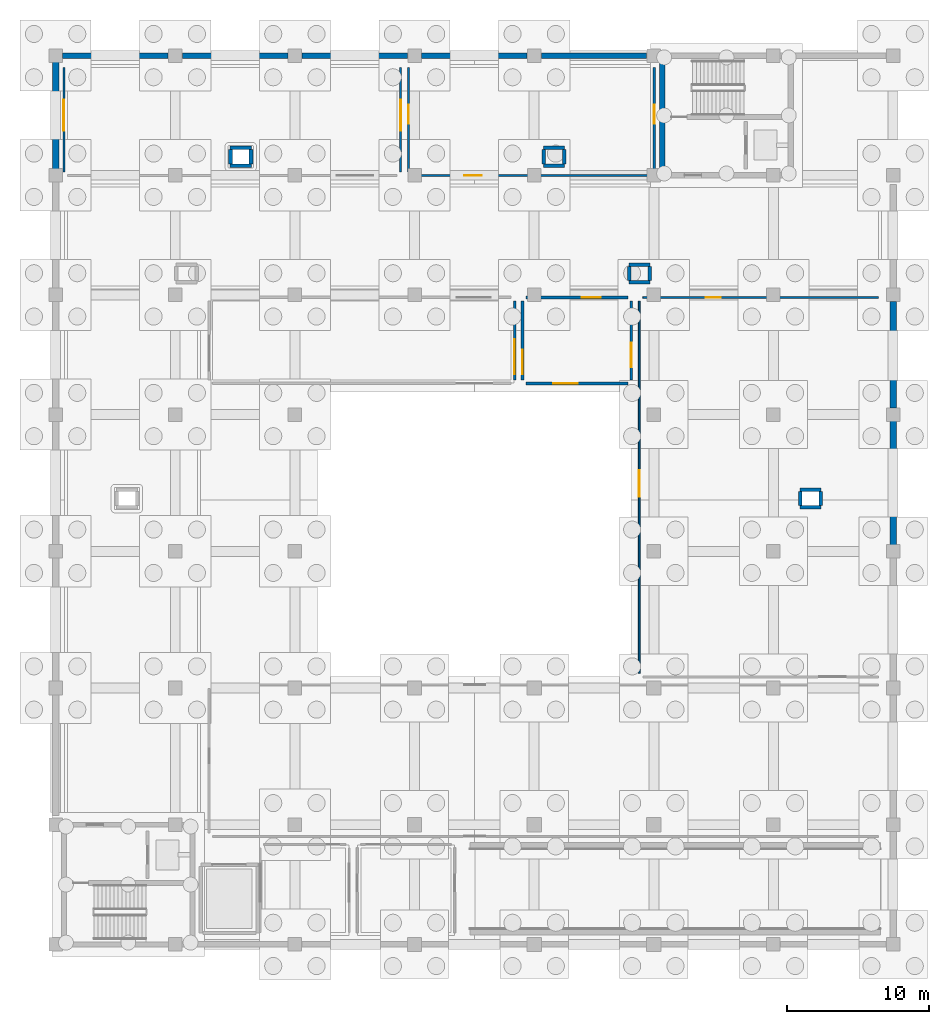
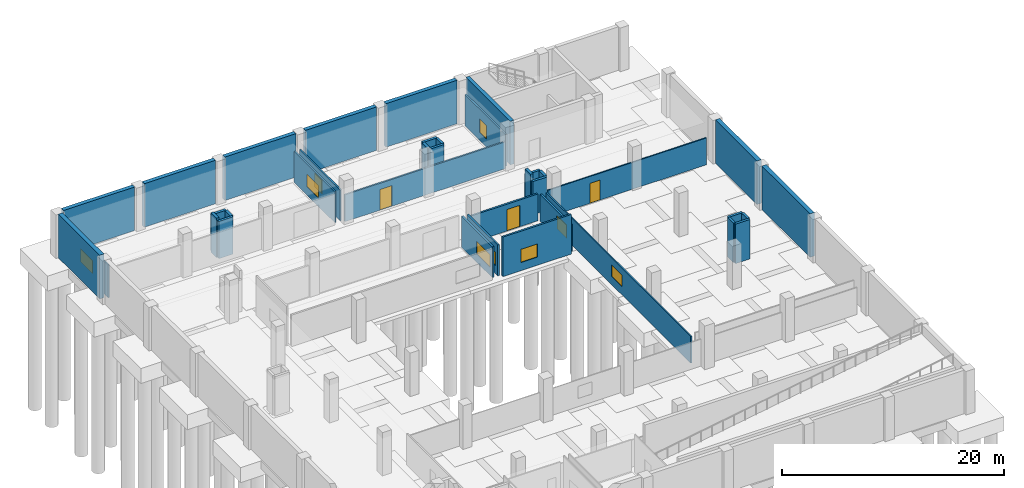
# One storey, part 7 of 12: 37 walls, 9 windows, 3 doors, 12 openings.
"""IFC4 building model written with IfcOpenShell, lengths in metres."""

from ifc_helpers import new_model, si_unit, direction, frame, frame_2d, origin, place, context, subcontext, project, spatial, rectangle, extrude, material, layer, layer_set, type_object, element, fill, save


model = new_model("IFC4")

# Units and contexts
model_context = context("Model", 3, precision=1e-05, world=origin(), true_north=direction((0.0, 1.0)))
body_context = subcontext(model_context, "Body", "Model", "MODEL_VIEW")
ifc_project = project(units=[si_unit("LENGTHUNIT", "METRE"), si_unit("AREAUNIT", "SQUARE_METRE"), si_unit("VOLUMEUNIT", "CUBIC_METRE"), si_unit("PLANEANGLEUNIT", "RADIAN"), si_unit("MASSUNIT", "GRAM", prefix="KILO")], contexts=[model_context])

# Site, building, storey
site_placement = place(None, origin())
site = spatial("IfcSite", under=ifc_project, at=site_placement, CompositionType="ELEMENT")
building_placement = place(site_placement, origin())
building = spatial("IfcBuilding", under=site, at=building_placement, Name="Zulmaris Art Gallery", CompositionType="ELEMENT")
storey_placement = place(building_placement, frame((0.0, 0.0, -4.800048828125)))
storey = spatial("IfcBuildingStorey", under=building, at=storey_placement, Name="B1", CompositionType="ELEMENT", Elevation=-4.800048828125)

# Wall, opening, door
ifc_material_1 = material(Name="Light Gallery Backing Partition", Category="gypsum")
ifc_layer_1 = layer(ifc_material_1, 0.1298828125)
ifc_layer_set_1 = layer_set([ifc_layer_1], Name="Light Gallery Backing Partition")
wall_type_1 = type_object("IfcWallType", Name="IWALL-PW03", PredefinedType="PARTITIONING", material=ifc_layer_set_1)
wall_1_placement = place(storey_placement, frame((182.830078125, 58.6201171875, 0.0), z_axis=(0.0, 0.0, 1.0), x_axis=(1.0, 0.0, 0.0)))
wall_1 = element("IfcWall", 1, at=wall_1_placement, inside=storey, type_object=wall_type_1, Name="East Car Park Loop & Ramp Arrival N partition", PredefinedType="PARTITIONING", context=body_context, shape_type="SweptSolid", body=[
    extrude(rectangle(XDim=16.5400390625, YDim=0.1298828125, at=frame_2d((8.27001953125, 0.0))), origin(), (0.0, 0.0, 1.0), 2.9599609375),
])
opening_1_placement = place(wall_1_placement, frame((4.39990234375, 0.0, 0.0)))
opening_1 = element("IfcOpeningElement", 2, at=opening_1_placement, cuts=wall_1, Name="Opening D05", PredefinedType="OPENING", context=body_context, shape_type="SweptSolid", body=[
    extrude(rectangle(XDim=1.06005859375, YDim=2.199951171875, at=frame_2d((0.530029296875, 1.10009765625))), frame((0.0, 0.074951171875, 0.0), z_axis=(0.0, -1.0, 0.0), x_axis=(1.0, 0.0, 0.0)), (0.0, 0.0, 1.0), 0.14990234375),
])
ifc_material_2 = material(Name="Resident Artists Studio Door", Category="timber")
door_type_1 = type_object("IfcDoorType", Name="IDOOR-D05", OperationType="NOTDEFINED", PredefinedType="DOOR", material=ifc_material_2)
door_1_placement = place(opening_1_placement, origin())
door_1 = element("IfcDoor", 3, at=door_1_placement, inside=storey, type_object=door_type_1, Name="East Car Park Loop & Ramp Arrival Door", OperationType="SINGLE_SWING_RIGHT", OverallHeight=2.199951171875, OverallWidth=1.06005859375, PredefinedType="DOOR", context=body_context, shape_type="SweptSolid", body=[
    extrude(rectangle(XDim=1.06005859375, YDim=2.199951171875, at=frame_2d((0.530029296875, 1.10009765625))), frame((0.0, 0.02490234375, 0.0), z_axis=(0.0, -1.0, 0.0), x_axis=(1.0, 0.0, 0.0)), (0.0, 0.0, 1.0), 0.050048828125),
])
fill(opening_1, door_1)

# Wall, opening, window
wall_2_placement = place(storey_placement, frame((182.580078125, 32.22998046875, 0.0), z_axis=(0.0, 0.0, 1.0), x_axis=(0.0, 1.0, 0.0)))
wall_2 = element("IfcWall", 4, at=wall_2_placement, inside=storey, type_object=wall_type_1, Name="East Car Park Loop & Ramp Arrival W partition", PredefinedType="PARTITIONING", context=body_context, shape_type="SweptSolid", body=[
    extrude(rectangle(XDim=26.14013671875, YDim=0.1298828125, at=frame_2d((13.070068359375, 0.0))), origin(), (0.0, 0.0, 1.0), 2.9599609375),
])
opening_2_placement = place(wall_2_placement, frame((12.39990234375, 0.0, 0.89990234375)))
opening_2 = element("IfcOpeningElement", 5, at=opening_2_placement, cuts=wall_2, Name="Opening IW02", PredefinedType="OPENING", context=body_context, shape_type="SweptSolid", body=[
    extrude(rectangle(XDim=1.860107421875, YDim=1.280029296875, at=frame_2d((0.93017578125, 0.64013671875))), frame((0.0, 0.074951171875, 0.0), z_axis=(0.0, -1.0, 0.0), x_axis=(1.0, 0.0, 0.0)), (0.0, 0.0, 1.0), 0.14990234375),
])
ifc_material_3 = material(Name="Auditorium Booth Acoustic Window", Category="glass")
window_type_1 = type_object("IfcWindowType", Name="IWIN-IW02", PartitioningType="SINGLE_PANEL", PredefinedType="WINDOW", material=ifc_material_3)
window_1_placement = place(opening_2_placement, origin())
window_1 = element("IfcWindow", 6, at=window_1_placement, inside=storey, type_object=window_type_1, Name="B1 interior observation window IW02", OverallHeight=1.280029296875, OverallWidth=1.860107421875, PartitioningType="SINGLE_PANEL", PredefinedType="WINDOW", context=body_context, shape_type="SweptSolid", body=[
    extrude(rectangle(XDim=1.860107421875, YDim=1.280029296875, at=frame_2d((0.93017578125, 0.64013671875))), frame((0.0, 0.030029296875, 0.0), z_axis=(0.0, -1.0, 0.0), x_axis=(1.0, 0.0, 0.0)), (0.0, 0.0, 1.0), 0.06005859375),
])
fill(opening_2, window_1)

ifc_material_4 = material(Name="Plywood-Backed Gallery Hanging Partition", Category="wood")
ifc_layer_2 = layer(ifc_material_4, 0.14501953125)
ifc_layer_set_2 = layer_set([ifc_layer_2], Name="Plywood-Backed Gallery Hanging Partition")
wall_type_2 = type_object("IfcWallType", Name="IWALL-PW04", PredefinedType="PARTITIONING", material=ifc_layer_set_2)
wall_3_placement = place(storey_placement, frame((142.179931640625, 67.429931640625, 0.0), z_axis=(0.0, 0.0, 1.0), x_axis=(0.0, 1.0, 0.0)))
wall_3 = element("IfcWall", 7, at=wall_3_placement, inside=storey, type_object=wall_type_2, Name="Climate-Controlled Art Store 1 W partition", PredefinedType="PARTITIONING", context=body_context, shape_type="SweptSolid", body=[
    extrude(rectangle(XDim=7.340087890625, YDim=0.14501953125, at=frame_2d((3.669921875, 0.0))), origin(), (0.0, 0.0, 1.0), 3.614990234375),
])
opening_3_placement = place(wall_3_placement, frame((2.89990234375, 0.0, 0.89990234375)))
opening_3 = element("IfcOpeningElement", 8, at=opening_3_placement, cuts=wall_3, Name="Opening IW03", PredefinedType="OPENING", context=body_context, shape_type="SweptSolid", body=[
    extrude(rectangle(XDim=2.159912109375, YDim=1.419921875, at=frame_2d((1.080078125, 0.7099609375))), frame((0.0, 0.08251953125, 0.0), z_axis=(0.0, -1.0, 0.0), x_axis=(1.0, 0.0, 0.0)), (0.0, 0.0, 1.0), 0.1650390625),
])
ifc_material_5 = material(Name="Analytical Lab Observation Window", Category="glass")
window_type_2 = type_object("IfcWindowType", Name="IWIN-IW03", PartitioningType="SINGLE_PANEL", PredefinedType="WINDOW", material=ifc_material_5)
window_2_placement = place(opening_3_placement, origin())
window_2 = element("IfcWindow", 9, at=window_2_placement, inside=storey, type_object=window_type_2, Name="B1 interior observation window IW03", OverallHeight=1.419921875, OverallWidth=2.159912109375, PartitioningType="SINGLE_PANEL", PredefinedType="WINDOW", context=body_context, shape_type="SweptSolid", body=[
    extrude(rectangle(XDim=2.159912109375, YDim=1.419921875, at=frame_2d((1.080078125, 0.7099609375))), frame((0.0, 0.030029296875, 0.0), z_axis=(0.0, -1.0, 0.0), x_axis=(1.0, 0.0, 0.0)), (0.0, 0.0, 1.0), 0.06005859375),
])
fill(opening_3, window_2)

wall_4_placement = place(storey_placement, frame((165.820068359375, 67.429931640625, 0.0), z_axis=(0.0, 0.0, 1.0), x_axis=(0.0, 1.0, 0.0)))
wall_4 = element("IfcWall", 10, at=wall_4_placement, inside=storey, type_object=wall_type_2, Name="Climate-Controlled Art Store 1 E partition", PredefinedType="PARTITIONING", context=body_context, shape_type="SweptSolid", body=[
    extrude(rectangle(XDim=7.340087890625, YDim=0.14501953125, at=frame_2d((3.669921875, 0.0))), origin(), (0.0, 0.0, 1.0), 3.41015625),
])
opening_4_placement = place(wall_4_placement, frame((2.89990234375, 0.0, 0.89990234375)))
opening_4 = element("IfcOpeningElement", 11, at=opening_4_placement, cuts=wall_4, Name="Opening IW03", PredefinedType="OPENING", context=body_context, shape_type="SweptSolid", body=[
    extrude(rectangle(XDim=2.159912109375, YDim=1.419921875, at=frame_2d((1.080078125, 0.7099609375))), frame((0.0, 0.08251953125, 0.0), z_axis=(0.0, -1.0, 0.0), x_axis=(1.0, 0.0, 0.0)), (0.0, 0.0, 1.0), 0.1650390625),
])
window_3_placement = place(opening_4_placement, origin())
window_3 = element("IfcWindow", 12, at=window_3_placement, inside=storey, type_object=window_type_2, Name="B1 interior observation window IW03", OverallHeight=1.419921875, OverallWidth=2.159912109375, PartitioningType="SINGLE_PANEL", PredefinedType="WINDOW", context=body_context, shape_type="SweptSolid", body=[
    extrude(rectangle(XDim=2.159912109375, YDim=1.419921875, at=frame_2d((1.080078125, 0.7099609375))), frame((0.0, 0.030029296875, 0.0), z_axis=(0.0, -1.0, 0.0), x_axis=(1.0, 0.0, 0.0)), (0.0, 0.0, 1.0), 0.06005859375),
])
fill(opening_4, window_3)

# Wall, opening, door
ifc_material_6 = material(Name="Timber-Backed Heavy Artwork Display Partition", Category="wood")
ifc_layer_3 = layer(ifc_material_6, 0.159912109375)
ifc_layer_set_3 = layer_set([ifc_layer_3], Name="Timber-Backed Heavy Artwork Display Partition")
wall_type_3 = type_object("IfcWallType", Name="IWALL-PW05", PredefinedType="PARTITIONING", material=ifc_layer_set_3)
wall_5_placement = place(storey_placement, frame((166.6298828125, 67.179931640625, 0.0), z_axis=(0.0, 0.0, 1.0), x_axis=(1.0, 0.0, 0.0)))
wall_5 = element("IfcWall", 13, at=wall_5_placement, inside=storey, type_object=wall_type_3, Name="Cold Photographic Art Store S partition", PredefinedType="PARTITIONING", context=body_context, shape_type="SweptSolid", body=[
    extrude(rectangle(XDim=16.740234375, YDim=0.159912109375, at=frame_2d((8.3701171875, 0.0))), origin(), (0.0, 0.0, 1.0), 2.9599609375),
])
opening_5_placement = place(wall_5_placement, frame((3.64990234375, 0.0, 0.0)))
opening_5 = element("IfcOpeningElement", 14, at=opening_5_placement, cuts=wall_5, Name="Opening D09", PredefinedType="OPENING", context=body_context, shape_type="SweptSolid", body=[
    extrude(rectangle(XDim=1.239990234375, YDim=2.280029296875, at=frame_2d((0.6201171875, 1.14013671875))), frame((0.0, 0.08984375, 0.0), z_axis=(0.0, -1.0, 0.0), x_axis=(1.0, 0.0, 0.0)), (0.0, 0.0, 1.0), 0.179931640625),
])
ifc_material_7 = material(Name="Conservation Studio Sealed Door", Category="steel")
door_type_2 = type_object("IfcDoorType", Name="IDOOR-D09", OperationType="NOTDEFINED", PredefinedType="DOOR", material=ifc_material_7)
door_2_placement = place(opening_5_placement, origin())
door_2 = element("IfcDoor", 15, at=door_2_placement, inside=storey, type_object=door_type_2, Name="Cold Photographic Art Store Door", OperationType="SINGLE_SWING_LEFT", OverallHeight=2.280029296875, OverallWidth=1.239990234375, PredefinedType="DOOR", context=body_context, shape_type="SweptSolid", body=[
    extrude(rectangle(XDim=1.239990234375, YDim=2.280029296875, at=frame_2d((0.6201171875, 1.14013671875))), frame((0.0, 0.02490234375, 0.0), z_axis=(0.0, -1.0, 0.0), x_axis=(1.0, 0.0, 0.0)), (0.0, 0.0, 1.0), 0.050048828125),
])
fill(opening_5, door_2)

# Wall, opening, window
wall_6_placement = place(storey_placement, frame((166.3798828125, 67.429931640625, 0.0), z_axis=(0.0, 0.0, 1.0), x_axis=(0.0, 1.0, 0.0)))
wall_6 = element("IfcWall", 16, at=wall_6_placement, inside=storey, type_object=wall_type_3, Name="Cold Photographic Art Store W partition", PredefinedType="PARTITIONING", context=body_context, shape_type="SweptSolid", body=[
    extrude(rectangle(XDim=7.340087890625, YDim=0.159912109375, at=frame_2d((3.669921875, 0.0))), origin(), (0.0, 0.0, 1.0), 3.41015625),
])
opening_6_placement = place(wall_6_placement, frame((3.39990234375, 0.0, 0.89990234375)))
opening_6 = element("IfcOpeningElement", 17, at=opening_6_placement, cuts=wall_6, Name="Opening IW04", PredefinedType="OPENING", context=body_context, shape_type="SweptSolid", body=[
    extrude(rectangle(XDim=1.320068359375, YDim=1.5, at=frame_2d((0.66015625, 0.75))), frame((0.0, 0.08984375, 0.0), z_axis=(0.0, -1.0, 0.0), x_axis=(1.0, 0.0, 0.0)), (0.0, 0.0, 1.0), 0.179931640625),
])
ifc_material_8 = material(Name="Curatorial Study Vitrine Window", Category="glass")
window_type_3 = type_object("IfcWindowType", Name="IWIN-IW04", PartitioningType="SINGLE_PANEL", PredefinedType="WINDOW", material=ifc_material_8)
window_4_placement = place(opening_6_placement, origin())
window_4 = element("IfcWindow", 18, at=window_4_placement, inside=storey, type_object=window_type_3, Name="B1 interior observation window IW04", OverallHeight=1.5, OverallWidth=1.320068359375, PartitioningType="SINGLE_PANEL", PredefinedType="WINDOW", context=body_context, shape_type="SweptSolid", body=[
    extrude(rectangle(XDim=1.320068359375, YDim=1.5, at=frame_2d((0.66015625, 0.75))), frame((0.0, 0.030029296875, 0.0), z_axis=(0.0, -1.0, 0.0), x_axis=(1.0, 0.0, 0.0)), (0.0, 0.0, 1.0), 0.06005859375),
])
fill(opening_6, window_4)

wall_7_placement = place(storey_placement, frame((183.6201171875, 67.429931640625, 0.0), z_axis=(0.0, 0.0, 1.0), x_axis=(0.0, 1.0, 0.0)))
wall_7 = element("IfcWall", 19, at=wall_7_placement, inside=storey, type_object=wall_type_3, Name="Cold Photographic Art Store E partition", PredefinedType="PARTITIONING", context=body_context, shape_type="SweptSolid", body=[
    extrude(rectangle(XDim=7.340087890625, YDim=0.159912109375, at=frame_2d((3.669921875, 0.0))), origin(), (0.0, 0.0, 1.0), 3.4599609375),
])
opening_7_placement = place(wall_7_placement, frame((3.39990234375, 0.0, 0.89990234375)))
opening_7 = element("IfcOpeningElement", 20, at=opening_7_placement, cuts=wall_7, Name="Opening IW04", PredefinedType="OPENING", context=body_context, shape_type="SweptSolid", body=[
    extrude(rectangle(XDim=1.320068359375, YDim=1.5, at=frame_2d((0.66015625, 0.75))), frame((0.0, 0.08984375, 0.0), z_axis=(0.0, -1.0, 0.0), x_axis=(1.0, 0.0, 0.0)), (0.0, 0.0, 1.0), 0.179931640625),
])
window_5_placement = place(opening_7_placement, origin())
window_5 = element("IfcWindow", 21, at=window_5_placement, inside=storey, type_object=window_type_3, Name="B1 interior observation window IW04", OverallHeight=1.5, OverallWidth=1.320068359375, PartitioningType="SINGLE_PANEL", PredefinedType="WINDOW", context=body_context, shape_type="SweptSolid", body=[
    extrude(rectangle(XDim=1.320068359375, YDim=1.5, at=frame_2d((0.66015625, 0.75))), frame((0.0, 0.030029296875, 0.0), z_axis=(0.0, -1.0, 0.0), x_axis=(1.0, 0.0, 0.0)), (0.0, 0.0, 1.0), 0.06005859375),
])
fill(opening_7, window_5)

ifc_material_9 = material(Name="Acoustic Studio Separation Partition", Category="gypsum")
ifc_layer_4 = layer(ifc_material_9, 0.175048828125)
ifc_layer_set_4 = layer_set([ifc_layer_4], Name="Acoustic Studio Separation Partition")
wall_type_4 = type_object("IfcWallType", Name="IWALL-PW06", PredefinedType="PARTITIONING", material=ifc_layer_set_4)
wall_8_placement = place(storey_placement, frame((173.820068359375, 52.830078125, 0.0), z_axis=(0.0, 0.0, 1.0), x_axis=(0.0, 1.0, 0.0)))
wall_8 = element("IfcWall", 22, at=wall_8_placement, inside=storey, type_object=wall_type_4, Name="Sculpture Crate Art Store E partition", PredefinedType="PARTITIONING", context=body_context, shape_type="SweptSolid", body=[
    extrude(rectangle(XDim=5.5400390625, YDim=0.175048828125, at=frame_2d((2.77001953125, 0.0))), origin(), (0.0, 0.0, 1.0), 3.41015625),
])
opening_8_placement = place(wall_8_placement, frame((0.39990234375, 0.0, 0.89990234375)))
opening_8 = element("IfcOpeningElement", 23, at=opening_8_placement, cuts=wall_8, Name="Opening IW05", PredefinedType="OPENING", context=body_context, shape_type="SweptSolid", body=[
    extrude(rectangle(XDim=2.4599609375, YDim=1.3798828125, at=frame_2d((1.22998046875, 0.68994140625))), frame((0.0, 0.097412109375, 0.0), z_axis=(0.0, -1.0, 0.0), x_axis=(1.0, 0.0, 0.0)), (0.0, 0.0, 1.0), 0.195068359375),
])
ifc_material_10 = material(Name="Workshop Safety Observation Window", Category="glass")
window_type_4 = type_object("IfcWindowType", Name="IWIN-IW05", PartitioningType="SINGLE_PANEL", PredefinedType="WINDOW", material=ifc_material_10)
window_6_placement = place(opening_8_placement, origin())
window_6 = element("IfcWindow", 24, at=window_6_placement, inside=storey, type_object=window_type_4, Name="B1 interior observation window IW05", OverallHeight=1.3798828125, OverallWidth=2.4599609375, PartitioningType="SINGLE_PANEL", PredefinedType="WINDOW", context=body_context, shape_type="SweptSolid", body=[
    extrude(rectangle(XDim=2.4599609375, YDim=1.3798828125, at=frame_2d((1.22998046875, 0.68994140625))), frame((0.0, 0.030029296875, 0.0), z_axis=(0.0, -1.0, 0.0), x_axis=(1.0, 0.0, 0.0)), (0.0, 0.0, 1.0), 0.06005859375),
])
fill(opening_8, window_6)

# Wall, opening, door
ifc_material_11 = material(Name="Conservation Laboratory Partition", Category="masonry")
ifc_layer_5 = layer(ifc_material_11, 0.18994140625)
ifc_layer_set_5 = layer_set([ifc_layer_5], Name="Conservation Laboratory Partition")
wall_type_5 = type_object("IfcWallType", Name="IWALL-PW07", PredefinedType="PARTITIONING", material=ifc_layer_set_5)
wall_9_placement = place(storey_placement, frame((174.6298828125, 58.6201171875, 0.0), z_axis=(0.0, 0.0, 1.0), x_axis=(1.0, 0.0, 0.0)))
wall_9 = element("IfcWall", 25, at=wall_9_placement, inside=storey, type_object=wall_type_5, Name="Primary Chiller & District Cooling Plant N partition", PredefinedType="PARTITIONING", context=body_context, shape_type="SweptSolid", body=[
    extrude(rectangle(XDim=7.14013671875, YDim=0.18994140625, at=frame_2d((3.570068359375, 0.0))), origin(), (0.0, 0.0, 1.0), 2.9599609375),
])
opening_9_placement = place(wall_9_placement, frame((3.89990234375, 0.0, 0.0)))
opening_9 = element("IfcOpeningElement", 26, at=opening_9_placement, cuts=wall_9, Name="Opening D11", PredefinedType="OPENING", context=body_context, shape_type="SweptSolid", body=[
    extrude(rectangle(XDim=1.360107421875, YDim=2.360107421875, at=frame_2d((0.68017578125, 1.18017578125))), frame((0.0, 0.10498046875, 0.0), z_axis=(0.0, -1.0, 0.0), x_axis=(1.0, 0.0, 0.0)), (0.0, 0.0, 1.0), 0.2099609375),
])
ifc_material_12 = material(Name="Workshop Acoustic Steel Door", Category="steel")
door_type_3 = type_object("IfcDoorType", Name="IDOOR-D11", OperationType="NOTDEFINED", PredefinedType="DOOR", material=ifc_material_12)
door_3_placement = place(opening_9_placement, origin())
door_3 = element("IfcDoor", 27, at=door_3_placement, inside=storey, type_object=door_type_3, Name="Primary Chiller & District Cooling Plant Door", OperationType="SINGLE_SWING_RIGHT", OverallHeight=2.360107421875, OverallWidth=1.360107421875, PredefinedType="DOOR", context=body_context, shape_type="SweptSolid", body=[
    extrude(rectangle(XDim=1.360107421875, YDim=2.360107421875, at=frame_2d((0.68017578125, 1.18017578125))), frame((0.0, 0.02490234375, 0.0), z_axis=(0.0, -1.0, 0.0), x_axis=(1.0, 0.0, 0.0)), (0.0, 0.0, 1.0), 0.050048828125),
])
fill(opening_9, door_3)

# Wall, opening, window
wall_10_placement = place(storey_placement, frame((174.6298828125, 52.580078125, 0.0), z_axis=(0.0, 0.0, 1.0), x_axis=(1.0, 0.0, 0.0)))
wall_10 = element("IfcWall", 28, at=wall_10_placement, inside=storey, type_object=wall_type_5, Name="Primary Chiller & District Cooling Plant S partition", PredefinedType="PARTITIONING", context=body_context, shape_type="SweptSolid", body=[
    extrude(rectangle(XDim=7.14013671875, YDim=0.18994140625, at=frame_2d((3.570068359375, 0.0))), origin(), (0.0, 0.0, 1.0), 4.360107421875),
])
opening_10_placement = place(wall_10_placement, frame((1.89990234375, 0.0, 0.89990234375)))
opening_10 = element("IfcOpeningElement", 29, at=opening_10_placement, cuts=wall_10, Name="Opening IW06", PredefinedType="OPENING", context=body_context, shape_type="SweptSolid", body=[
    extrude(rectangle(XDim=1.719970703125, YDim=1.4599609375, at=frame_2d((0.85986328125, 0.72998046875))), frame((0.0, 0.10498046875, 0.0), z_axis=(0.0, -1.0, 0.0), x_axis=(1.0, 0.0, 0.0)), (0.0, 0.0, 1.0), 0.2099609375),
])
ifc_material_13 = material(Name="Library Reading Room Internal Glazing", Category="glass")
window_type_5 = type_object("IfcWindowType", Name="IWIN-IW06", PartitioningType="SINGLE_PANEL", PredefinedType="WINDOW", material=ifc_material_13)
window_7_placement = place(opening_10_placement, origin())
window_7 = element("IfcWindow", 30, at=window_7_placement, inside=storey, type_object=window_type_5, Name="B1 interior observation window IW06", OverallHeight=1.4599609375, OverallWidth=1.719970703125, PartitioningType="SINGLE_PANEL", PredefinedType="WINDOW", context=body_context, shape_type="SweptSolid", body=[
    extrude(rectangle(XDim=1.719970703125, YDim=1.4599609375, at=frame_2d((0.85986328125, 0.72998046875))), frame((0.0, 0.030029296875, 0.0), z_axis=(0.0, -1.0, 0.0), x_axis=(1.0, 0.0, 0.0)), (0.0, 0.0, 1.0), 0.06005859375),
])
fill(opening_10, window_7)

wall_11_placement = place(storey_placement, frame((174.3798828125, 52.830078125, 0.0), z_axis=(0.0, 0.0, 1.0), x_axis=(0.0, 1.0, 0.0)))
wall_11 = element("IfcWall", 31, at=wall_11_placement, inside=storey, type_object=wall_type_5, Name="Primary Chiller & District Cooling Plant W partition", PredefinedType="PARTITIONING", context=body_context, shape_type="SweptSolid", body=[
    extrude(rectangle(XDim=5.5400390625, YDim=0.18994140625, at=frame_2d((2.77001953125, 0.0))), origin(), (0.0, 0.0, 1.0), 3.41015625),
])
opening_11_placement = place(wall_11_placement, frame((0.39990234375, 0.0, 0.89990234375)))
opening_11 = element("IfcOpeningElement", 32, at=opening_11_placement, cuts=wall_11, Name="Opening IW06", PredefinedType="OPENING", context=body_context, shape_type="SweptSolid", body=[
    extrude(rectangle(XDim=1.719970703125, YDim=1.4599609375, at=frame_2d((0.85986328125, 0.72998046875))), frame((0.0, 0.10498046875, 0.0), z_axis=(0.0, -1.0, 0.0), x_axis=(1.0, 0.0, 0.0)), (0.0, 0.0, 1.0), 0.2099609375),
])
window_8_placement = place(opening_11_placement, origin())
window_8 = element("IfcWindow", 33, at=window_8_placement, inside=storey, type_object=window_type_5, Name="B1 interior observation window IW06", OverallHeight=1.4599609375, OverallWidth=1.719970703125, PartitioningType="SINGLE_PANEL", PredefinedType="WINDOW", context=body_context, shape_type="SweptSolid", body=[
    extrude(rectangle(XDim=1.719970703125, YDim=1.4599609375, at=frame_2d((0.85986328125, 0.72998046875))), frame((0.0, 0.030029296875, 0.0), z_axis=(0.0, -1.0, 0.0), x_axis=(1.0, 0.0, 0.0)), (0.0, 0.0, 1.0), 0.06005859375),
])
fill(opening_11, window_8)

wall_12_placement = place(storey_placement, frame((182.02001953125, 52.830078125, 0.0), z_axis=(0.0, 0.0, 1.0), x_axis=(0.0, 1.0, 0.0)))
wall_12 = element("IfcWall", 34, at=wall_12_placement, inside=storey, type_object=wall_type_5, Name="Primary Chiller & District Cooling Plant E partition", PredefinedType="PARTITIONING", context=body_context, shape_type="SweptSolid", body=[
    extrude(rectangle(XDim=5.5400390625, YDim=0.18994140625, at=frame_2d((2.77001953125, 0.0))), origin(), (0.0, 0.0, 1.0), 2.9599609375),
])
opening_12_placement = place(wall_12_placement, frame((0.89990234375, 0.0, 0.89990234375)))
opening_12 = element("IfcOpeningElement", 35, at=opening_12_placement, cuts=wall_12, Name="Opening IW06", PredefinedType="OPENING", context=body_context, shape_type="SweptSolid", body=[
    extrude(rectangle(XDim=1.719970703125, YDim=1.4599609375, at=frame_2d((0.85986328125, 0.72998046875))), frame((0.0, 0.10498046875, 0.0), z_axis=(0.0, -1.0, 0.0), x_axis=(1.0, 0.0, 0.0)), (0.0, 0.0, 1.0), 0.2099609375),
])
window_9_placement = place(opening_12_placement, origin())
window_9 = element("IfcWindow", 36, at=window_9_placement, inside=storey, type_object=window_type_5, Name="B1 interior observation window IW06", OverallHeight=1.4599609375, OverallWidth=1.719970703125, PartitioningType="SINGLE_PANEL", PredefinedType="WINDOW", context=body_context, shape_type="SweptSolid", body=[
    extrude(rectangle(XDim=1.719970703125, YDim=1.4599609375, at=frame_2d((0.85986328125, 0.72998046875))), frame((0.0, 0.030029296875, 0.0), z_axis=(0.0, -1.0, 0.0), x_axis=(1.0, 0.0, 0.0)), (0.0, 0.0, 1.0), 0.06005859375),
])
fill(opening_12, window_9)

# Walls
ifc_material_14 = material(Name="MEP Riser & Smoke Shaft Enclosure Wall", Category="masonry")
ifc_layer_6 = layer(ifc_material_14, 0.2548828125)
ifc_layer_set_6 = layer_set([ifc_layer_6], Name="MEP Riser & Smoke Shaft Enclosure Wall")
wall_type_6 = type_object("IfcWallType", Name="IWALL-PW11", PredefinedType="PARTITIONING", material=ifc_layer_set_6)
for number, where, z_axis, x_axis, name in (
    (37, (181.860107421875, 60.919921875, 0.0), (0.0, 0.0, 1.0), (1.0, 0.0, 0.0), "B1 MEP Riser 14 N wall"),
    (38, (181.860107421875, 59.679931640625, 0.0), (0.0, 0.0, 1.0), (1.0, 0.0, 0.0), "B1 MEP Riser 14 S wall"),
):
    element("IfcWall", number, at=place(storey_placement, frame(where, z_axis=z_axis, x_axis=x_axis)), inside=storey, type_object=wall_type_6, Name=name, PredefinedType="PARTITIONING", context=body_context, shape_type="SweptSolid", body=[
        extrude(rectangle(XDim=1.47998046875, YDim=0.2548828125, at=frame_2d((0.739990234375, 0.0))), origin(), (0.0, 0.0, 1.0), 3.6650390625),
    ])
wall_13_placement = place(storey_placement, frame((181.8798828125, 59.800048828125, 0.0), z_axis=(0.0, 0.0, 1.0), x_axis=(0.0, 1.0, 0.0)))
element("IfcWall", 39, at=wall_13_placement, inside=storey, type_object=wall_type_6, Name="B1 MEP Riser 14 W wall", PredefinedType="PARTITIONING", context=body_context, shape_type="SweptSolid", body=[
    extrude(rectangle(XDim=1.0, YDim=0.2548828125, at=frame_2d((0.5, 0.0))), origin(), (0.0, 0.0, 1.0), 4.360107421875),
])
wall_14_placement = place(storey_placement, frame((183.320068359375, 59.800048828125, 0.0), z_axis=(0.0, 0.0, 1.0), x_axis=(0.0, 1.0, 0.0)))
element("IfcWall", 40, at=wall_14_placement, inside=storey, type_object=wall_type_6, Name="B1 MEP Riser 14 E wall", PredefinedType="PARTITIONING", context=body_context, shape_type="SweptSolid", body=[
    extrude(rectangle(XDim=1.0, YDim=0.2548828125, at=frame_2d((0.5, 0.0))), origin(), (0.0, 0.0, 1.0), 3.6650390625),
])
for number, where, z_axis, x_axis, name in (
    (41, (153.860107421875, 69.1201171875, 0.0), (0.0, 0.0, 1.0), (1.0, 0.0, 0.0), "B1 MEP Riser 15 N wall"),
    (42, (153.860107421875, 67.8798828125, 0.0), (0.0, 0.0, 1.0), (1.0, 0.0, 0.0), "B1 MEP Riser 15 S wall"),
):
    element("IfcWall", number, at=place(storey_placement, frame(where, z_axis=z_axis, x_axis=x_axis)), inside=storey, type_object=wall_type_6, Name=name, PredefinedType="PARTITIONING", context=body_context, shape_type="SweptSolid", body=[
        extrude(rectangle(XDim=1.47998046875, YDim=0.2548828125, at=frame_2d((0.739990234375, 0.0))), origin(), (0.0, 0.0, 1.0), 4.090087890625),
    ])
wall_15_placement = place(storey_placement, frame((153.8798828125, 68.0, 0.0), z_axis=(0.0, 0.0, 1.0), x_axis=(0.0, 1.0, 0.0)))
element("IfcWall", 43, at=wall_15_placement, inside=storey, type_object=wall_type_6, Name="B1 MEP Riser 15 W wall", PredefinedType="PARTITIONING", context=body_context, shape_type="SweptSolid", body=[
    extrude(rectangle(XDim=1.0, YDim=0.2548828125, at=frame_2d((0.5, 0.0))), origin(), (0.0, 0.0, 1.0), 4.360107421875),
])
wall_16_placement = place(storey_placement, frame((155.320068359375, 68.0, 0.0), z_axis=(0.0, 0.0, 1.0), x_axis=(0.0, 1.0, 0.0)))
element("IfcWall", 44, at=wall_16_placement, inside=storey, type_object=wall_type_6, Name="B1 MEP Riser 15 E wall", PredefinedType="PARTITIONING", context=body_context, shape_type="SweptSolid", body=[
    extrude(rectangle(XDim=1.0, YDim=0.2548828125, at=frame_2d((0.5, 0.0))), origin(), (0.0, 0.0, 1.0), 4.090087890625),
])
for number, where, z_axis, x_axis, name in (
    (45, (175.860107421875, 69.1201171875, 0.0), (0.0, 0.0, 1.0), (1.0, 0.0, 0.0), "B1 MEP Riser 16 N wall"),
    (46, (175.860107421875, 67.8798828125, 0.0), (0.0, 0.0, 1.0), (1.0, 0.0, 0.0), "B1 MEP Riser 16 S wall"),
):
    element("IfcWall", number, at=place(storey_placement, frame(where, z_axis=z_axis, x_axis=x_axis)), inside=storey, type_object=wall_type_6, Name=name, PredefinedType="PARTITIONING", context=body_context, shape_type="SweptSolid", body=[
        extrude(rectangle(XDim=1.47998046875, YDim=0.2548828125, at=frame_2d((0.739990234375, 0.0))), origin(), (0.0, 0.0, 1.0), 4.360107421875),
    ])
for number, where, z_axis, x_axis, name in (
    (47, (175.8798828125, 68.0, 0.0), (0.0, 0.0, 1.0), (0.0, 1.0, 0.0), "B1 MEP Riser 16 W wall"),
    (48, (177.320068359375, 68.0, 0.0), (0.0, 0.0, 1.0), (0.0, 1.0, 0.0), "B1 MEP Riser 16 E wall"),
):
    element("IfcWall", number, at=place(storey_placement, frame(where, z_axis=z_axis, x_axis=x_axis)), inside=storey, type_object=wall_type_6, Name=name, PredefinedType="PARTITIONING", context=body_context, shape_type="SweptSolid", body=[
        extrude(rectangle(XDim=1.0, YDim=0.2548828125, at=frame_2d((0.5, 0.0))), origin(), (0.0, 0.0, 1.0), 4.360107421875),
    ])
for number, where, z_axis, x_axis, name in (
    (49, (193.860107421875, 45.1201171875, 0.0), (0.0, 0.0, 1.0), (1.0, 0.0, 0.0), "B1 MEP Riser 18 N wall"),
    (50, (193.860107421875, 43.8798828125, 0.0), (0.0, 0.0, 1.0), (1.0, 0.0, 0.0), "B1 MEP Riser 18 S wall"),
):
    element("IfcWall", number, at=place(storey_placement, frame(where, z_axis=z_axis, x_axis=x_axis)), inside=storey, type_object=wall_type_6, Name=name, PredefinedType="PARTITIONING", context=body_context, shape_type="SweptSolid", body=[
        extrude(rectangle(XDim=1.47998046875, YDim=0.2548828125, at=frame_2d((0.739990234375, 0.0))), origin(), (0.0, 0.0, 1.0), 4.360107421875),
    ])
for number, where, z_axis, x_axis, name in (
    (51, (193.8798828125, 44.0, 0.0), (0.0, 0.0, 1.0), (0.0, 1.0, 0.0), "B1 MEP Riser 18 W wall"),
    (52, (195.320068359375, 44.0, 0.0), (0.0, 0.0, 1.0), (0.0, 1.0, 0.0), "B1 MEP Riser 18 E wall"),
):
    element("IfcWall", number, at=place(storey_placement, frame(where, z_axis=z_axis, x_axis=x_axis)), inside=storey, type_object=wall_type_6, Name=name, PredefinedType="PARTITIONING", context=body_context, shape_type="SweptSolid", body=[
        extrude(rectangle(XDim=1.0, YDim=0.2548828125, at=frame_2d((0.5, 0.0))), origin(), (0.0, 0.0, 1.0), 4.360107421875),
    ])
ifc_material_15 = material(Name="Concrete C40/50", Category="concrete")
ifc_layer_7 = layer(ifc_material_15, 0.39990234375)
ifc_layer_set_7 = layer_set([ifc_layer_7], Name="Concrete C40/50")
wall_type_7 = type_object("IfcWallType", Name="STR-WALL-RW01", PredefinedType="USERDEFINED", material=ifc_layer_set_7)
for number, where, z_axis, x_axis, name in (
    (53, (142.10009765625, 75.60009765625, 0.0), (0.0, 0.0, 1.0), (1.0, 0.0, 0.0), "B1 North retaining wall bay 1"),
    (54, (150.5, 75.60009765625, 0.0), (0.0, 0.0, 1.0), (1.0, 0.0, 0.0), "B1 North retaining wall bay 2"),
):
    element("IfcWall", number, at=place(storey_placement, frame(where, z_axis=z_axis, x_axis=x_axis)), inside=storey, type_object=wall_type_7, Name=name, ObjectType="RETAINING WALL", PredefinedType="USERDEFINED", context=body_context, shape_type="SweptSolid", body=[
        extrude(rectangle(XDim=7.39990234375, YDim=0.39990234375, at=frame_2d((3.699951171875, 0.0))), origin(), (0.0, 0.0, 1.0), 4.800048828125),
    ])
wall_17_placement = place(storey_placement, frame((158.89990234375, 75.60009765625, 0.0), z_axis=(0.0, 0.0, 1.0), x_axis=(1.0, 0.0, 0.0)))
element("IfcWall", 55, at=wall_17_placement, inside=storey, type_object=wall_type_7, Name="B1 North retaining wall bay 3", ObjectType="RETAINING WALL", PredefinedType="USERDEFINED", context=body_context, shape_type="SweptSolid", body=[
    extrude(rectangle(XDim=7.400146484375, YDim=0.39990234375, at=frame_2d((3.7001953125, 0.0))), origin(), (0.0, 0.0, 1.0), 4.800048828125),
])
wall_18_placement = place(storey_placement, frame((167.300048828125, 75.60009765625, 0.0), z_axis=(0.0, 0.0, 1.0), x_axis=(1.0, 0.0, 0.0)))
element("IfcWall", 56, at=wall_18_placement, inside=storey, type_object=wall_type_7, Name="B1 North retaining wall bay 4", ObjectType="RETAINING WALL", PredefinedType="USERDEFINED", context=body_context, shape_type="SweptSolid", body=[
    extrude(rectangle(XDim=7.39990234375, YDim=0.39990234375, at=frame_2d((3.699951171875, 0.0))), origin(), (0.0, 0.0, 1.0), 4.800048828125),
])
wall_19_placement = place(storey_placement, frame((175.699951171875, 75.60009765625, 0.0), z_axis=(0.0, 0.0, 1.0), x_axis=(1.0, 0.0, 0.0)))
element("IfcWall", 57, at=wall_19_placement, inside=storey, type_object=wall_type_7, Name="B1 North retaining wall bay 5", ObjectType="RETAINING WALL", PredefinedType="USERDEFINED", context=body_context, shape_type="SweptSolid", body=[
    extrude(rectangle(XDim=7.400146484375, YDim=0.39990234375, at=frame_2d((3.7001953125, 0.0))), origin(), (0.0, 0.0, 1.0), 4.800048828125),
])
ifc_layer_8 = layer(ifc_material_15, 0.449951171875)
ifc_layer_set_8 = layer_set([ifc_layer_8], Name="Concrete C40/50")
wall_type_8 = type_object("IfcWallType", Name="STR-WALL-RW02", PredefinedType="USERDEFINED", material=ifc_layer_set_8)
wall_20_placement = place(storey_placement, frame((141.60009765625, 67.64990234375, 0.0), z_axis=(0.0, 0.0, 1.0), x_axis=(0.0, 1.0, 0.0)))
element("IfcWall", 58, at=wall_20_placement, inside=storey, type_object=wall_type_8, Name="B1 West retaining wall y=67.2", ObjectType="RETAINING WALL", PredefinedType="USERDEFINED", context=body_context, shape_type="SweptSolid", body=[
    extrude(rectangle(XDim=7.5, YDim=0.449951171875, at=frame_2d((3.75, 0.0))), origin(), (0.0, 0.0, 1.0), 4.800048828125),
])
wall_21_placement = place(storey_placement, frame((200.39990234375, 41.25, 0.0), z_axis=(0.0, 0.0, 1.0), x_axis=(0.0, 1.0, 0.0)))
element("IfcWall", 59, at=wall_21_placement, inside=storey, type_object=wall_type_8, Name="B1 East retaining wall y=40.8", ObjectType="RETAINING WALL", PredefinedType="USERDEFINED", context=body_context, shape_type="SweptSolid", body=[
    extrude(rectangle(XDim=8.699951171875, YDim=0.449951171875, at=frame_2d((4.35009765625, 0.0))), origin(), (0.0, 0.0, 1.0), 4.800048828125),
])
wall_22_placement = place(storey_placement, frame((200.39990234375, 50.85009765625, 0.0), z_axis=(0.0, 0.0, 1.0), x_axis=(0.0, 1.0, 0.0)))
element("IfcWall", 60, at=wall_22_placement, inside=storey, type_object=wall_type_8, Name="B1 East retaining wall y=50.4", ObjectType="RETAINING WALL", PredefinedType="USERDEFINED", context=body_context, shape_type="SweptSolid", body=[
    extrude(rectangle(XDim=7.5, YDim=0.449951171875, at=frame_2d((3.75, 0.0))), origin(), (0.0, 0.0, 1.0), 4.800048828125),
])
ifc_material_16 = material(Name="Concrete C50/60", Category="concrete")
ifc_layer_9 = layer(ifc_material_16, 0.3798828125)
ifc_layer_set_9 = layer_set([ifc_layer_9], Name="Concrete C50/60")
wall_type_9 = type_object("IfcWallType", Name="STR-WALL-SW02", PredefinedType="SHEAR", material=ifc_layer_set_9)
wall_23_placement = place(storey_placement, frame((184.199951171875, 67.389892578125, 0.0), z_axis=(0.0, 0.0, 1.0), x_axis=(0.0, 1.0, 0.0)))
element("IfcWall", 61, at=wall_23_placement, inside=storey, type_object=wall_type_9, Name="Core C4 B1 W shear wall", PredefinedType="SHEAR", context=body_context, shape_type="SweptSolid", body=[
    extrude(rectangle(XDim=8.02001953125, YDim=0.3798828125, at=frame_2d((4.010009765625, 0.0))), origin(), (0.0, 0.0, 1.0), 4.800048828125),
])

save(model, "model.ifc")
